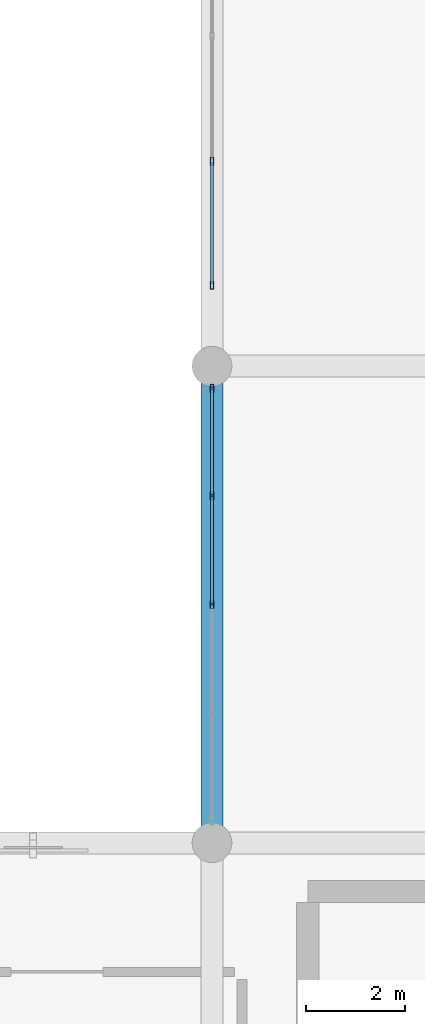
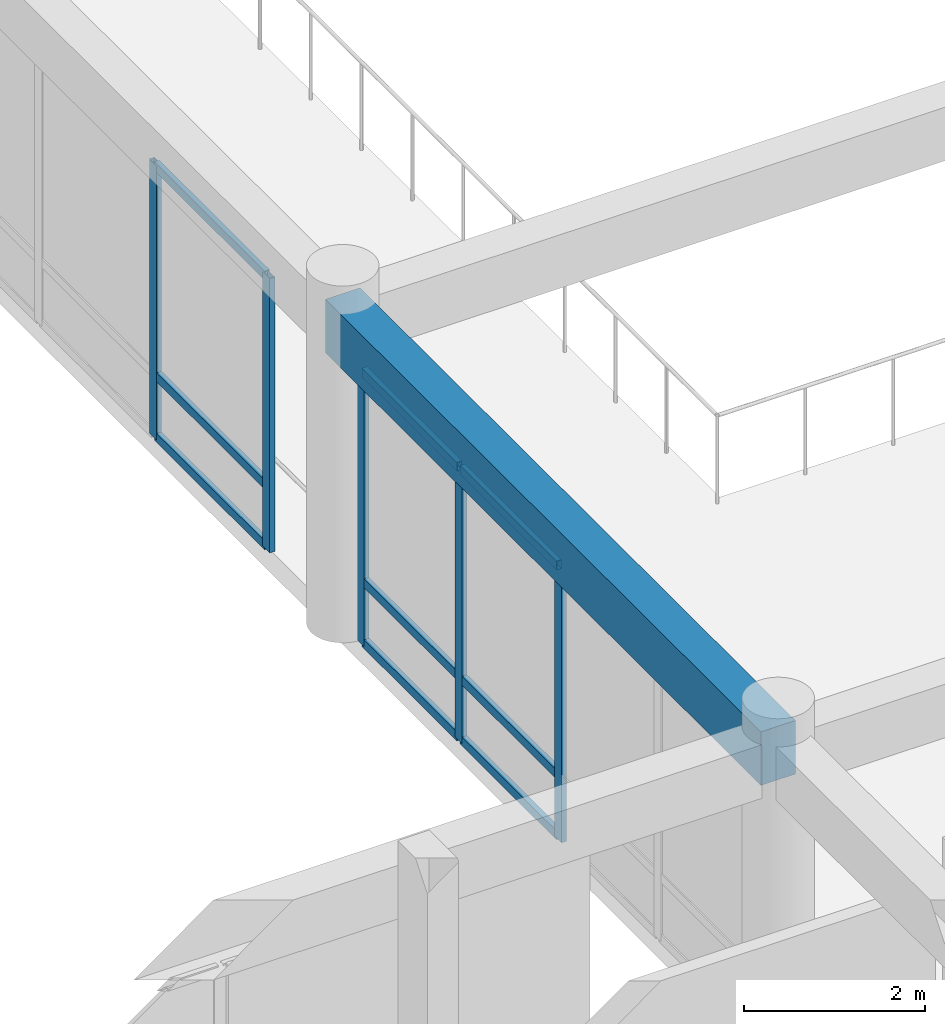
# One storey, part 31 of 133: 14 members, 1 beam, 2 elements without a shape of their own.
"""IFC4 building model written with IfcOpenShell, lengths in metres."""

from ifc_helpers import new_model, si_unit, direction, frame, origin, origin_2d, place, context, subcontext, project, spatial, rectangle, hollow_rectangle, extrude, material, layer, layer_set, material_profile, profile_set, type_object, element, aggregate, save


model = new_model("IFC4")

# Units and contexts
model_context = context("Model", 3, precision=1e-05, world=origin(), true_north=direction((0.0, 1.0)))
body_context = subcontext(model_context, "Body", "Model", "MODEL_VIEW")
ifc_project = project(units=[si_unit("LENGTHUNIT", "METRE"), si_unit("AREAUNIT", "SQUARE_METRE"), si_unit("VOLUMEUNIT", "CUBIC_METRE"), si_unit("PLANEANGLEUNIT", "RADIAN"), si_unit("MASSUNIT", "GRAM", prefix="KILO")], contexts=[model_context])

# Site, building, storey
site_placement = place(None, origin())
site = spatial("IfcSite", under=ifc_project, at=site_placement, CompositionType="ELEMENT")
building_placement = place(site_placement, origin())
building = spatial("IfcBuilding", under=site, at=building_placement, Name="Nakhvara Creek Congress Hotel", CompositionType="ELEMENT")
storey_placement = place(building_placement, frame((0.0, 0.0, 11.39990234375)))
storey = spatial("IfcBuildingStorey", under=building, at=storey_placement, Name="L02", CompositionType="ELEMENT", Elevation=11.39990234375)

# Beam
ifc_material_1 = material(Name="Concrete C40/50", Category="concrete")
ifc_material_profile_1 = material_profile(ifc_material_1, rectangle(XDim=0.43994140625, YDim=0.719970703125, at=origin_2d()), Name="RC-BM 440x720", Category="LoadBearing")
ifc_profile_set_1 = profile_set([ifc_material_profile_1], Name="Concrete C40/50")
beam_type = type_object("IfcBeamType", Name="BM-RC-440X720", PredefinedType="BEAM", material=ifc_profile_set_1)
beam_placement = place(storey_placement, frame((124.800048828125, 43.199951171875, 4.06005859375), z_axis=(0.0, 1.0, 0.0), x_axis=(-1.0, 0.0, 0.0)))
element("IfcBeam", 1, at=beam_placement, inside=storey, type_object=beam_type, Name="Beam B12-L02-1528", PredefinedType="BEAM", context=body_context, shape_type="SweptSolid", body=[
    extrude(rectangle(XDim=0.43994140625, YDim=0.719970703125, at=origin_2d()), origin(), (0.0, 0.0, 1.0), 9.60009765625),
])

# Curtain wall, members
ifc_material_2 = material(Name="Bronze-anodised aluminium AW-6063-T6 and double-silver low-E glass", Category="aluminium")
ifc_layer = layer(ifc_material_2, 0.199951171875)
ifc_layer_set = layer_set([ifc_layer], Name="Bronze-anodised aluminium AW-6063-T6 and double-silver low-E glass")
curtain_wall_type = type_object("IfcCurtainWallType", Name="CW-POD-STICK", PredefinedType="NOTDEFINED", material=ifc_layer_set)
curtain_wall_1_placement = place(storey_placement, origin())
curtain_wall_1 = element("IfcCurtainWall", 2, at=curtain_wall_1_placement, inside=storey, type_object=curtain_wall_type, Name="Curtain Wall CW044", PredefinedType="NOTDEFINED")
ifc_material_3 = material(Name="Bronze-anodised aluminium AW-6063-T6", Category="aluminium")
ifc_material_profile_2 = material_profile(ifc_material_3, hollow_rectangle(XDim=0.06494140625, YDim=0.159912109375, WallThickness=0.00390625, at=origin_2d()), Name="ALU-MULL 65x160x4", Category="LoadBearing")
ifc_profile_set_2 = profile_set([ifc_material_profile_2], Name="Bronze-anodised aluminium AW-6063-T6")
member_type_1 = type_object("IfcMemberType", Name="CW-MULL-160", PredefinedType="MULLION", material=ifc_profile_set_2)
member_1_placement = place(storey_placement, frame((124.800048828125, 48.0, 0.0), z_axis=(0.0, 0.0, 1.0), x_axis=(-1.0, 0.0, 0.0)))
member_1 = element("IfcMember", 3, at=member_1_placement, type_object=member_type_1, Name="CW044 mullion 3", PredefinedType="MULLION", context=body_context, shape_type="SweptSolid", body=[
    extrude(hollow_rectangle(XDim=0.06494140625, YDim=0.159912109375, WallThickness=0.00390625, at=origin_2d()), origin(), (0.0, 0.0, 1.0), 3.692138671875),
])
member_2_placement = place(storey_placement, frame((124.800048828125, 50.1923828125, 0.0), z_axis=(0.0, 0.0, 1.0), x_axis=(-1.0, 0.0, 0.0)))
member_2 = element("IfcMember", 4, at=member_2_placement, type_object=member_type_1, Name="CW044 mullion 4", PredefinedType="MULLION", context=body_context, shape_type="SweptSolid", body=[
    extrude(hollow_rectangle(XDim=0.06494140625, YDim=0.159912109375, WallThickness=0.00390625, at=origin_2d()), origin(), (0.0, 0.0, 1.0), 3.692138671875),
])
member_3_placement = place(storey_placement, frame((124.800048828125, 52.3525390625, 0.0), z_axis=(0.0, 0.0, 1.0), x_axis=(-1.0, 0.0, 0.0)))
member_3 = element("IfcMember", 5, at=member_3_placement, type_object=member_type_1, Name="CW044 mullion 5", PredefinedType="MULLION", context=body_context, shape_type="SweptSolid", body=[
    extrude(hollow_rectangle(XDim=0.06494140625, YDim=0.159912109375, WallThickness=0.00390625, at=origin_2d()), origin(), (0.0, 0.0, 1.0), 3.692138671875),
])

curtain_wall_2_placement = place(storey_placement, origin())
curtain_wall_2 = element("IfcCurtainWall", 6, at=curtain_wall_2_placement, inside=storey, type_object=curtain_wall_type, Name="Curtain Wall CW046", PredefinedType="NOTDEFINED")
member_4_placement = place(storey_placement, frame((124.800048828125, 54.4326171875, 0.0), z_axis=(0.0, 0.0, 1.0), x_axis=(-1.0, 0.0, 0.0)))
member_4 = element("IfcMember", 7, at=member_4_placement, type_object=member_type_1, Name="CW046 mullion 1", PredefinedType="MULLION", context=body_context, shape_type="SweptSolid", body=[
    extrude(hollow_rectangle(XDim=0.06494140625, YDim=0.159912109375, WallThickness=0.00390625, at=origin_2d()), origin(), (0.0, 0.0, 1.0), 3.692138671875),
])
member_5_placement = place(storey_placement, frame((124.800048828125, 56.92822265625, 0.0), z_axis=(0.0, 0.0, 1.0), x_axis=(-1.0, 0.0, 0.0)))
member_5 = element("IfcMember", 8, at=member_5_placement, type_object=member_type_1, Name="CW046 mullion 2", PredefinedType="MULLION", context=body_context, shape_type="SweptSolid", body=[
    extrude(hollow_rectangle(XDim=0.06494140625, YDim=0.159912109375, WallThickness=0.00390625, at=origin_2d()), origin(), (0.0, 0.0, 1.0), 3.692138671875),
])

# Member
ifc_material_profile_3 = material_profile(ifc_material_3, hollow_rectangle(XDim=0.06494140625, YDim=0.1201171875, WallThickness=0.00390625, at=origin_2d()), Name="ALU-TRAN 65x120x4", Category="LoadBearing")
ifc_profile_set_3 = profile_set([ifc_material_profile_3], Name="Bronze-anodised aluminium AW-6063-T6")
member_type_2 = type_object("IfcMemberType", Name="CW-TRAN-120", PredefinedType="USERDEFINED", material=ifc_profile_set_3)
member_6_placement = place(storey_placement, frame((124.800048828125, 48.032470703125, 0.03271484375), z_axis=(0.0, 1.0, 0.0), x_axis=(-1.0, 0.0, 0.0)))
member_6 = element("IfcMember", 9, at=member_6_placement, type_object=member_type_2, Name="CW044 transom 3.1", ObjectType="TRANSOM", PredefinedType="USERDEFINED", context=body_context, shape_type="SweptSolid", body=[
    extrude(hollow_rectangle(XDim=0.06494140625, YDim=0.1201171875, WallThickness=0.00390625, at=origin_2d()), origin(), (0.0, 0.0, 1.0), 2.12744140625),
])

member_7_placement = place(storey_placement, frame((124.800048828125, 48.032470703125, 0.85009765625), z_axis=(0.0, 1.0, 0.0), x_axis=(-1.0, 0.0, 0.0)))
member_7 = element("IfcMember", 10, at=member_7_placement, type_object=member_type_2, Name="CW044 transom 3.2", ObjectType="TRANSOM", PredefinedType="USERDEFINED", context=body_context, shape_type="SweptSolid", body=[
    extrude(hollow_rectangle(XDim=0.06494140625, YDim=0.1201171875, WallThickness=0.00390625, at=origin_2d()), origin(), (0.0, 0.0, 1.0), 2.12744140625),
])

member_8_placement = place(storey_placement, frame((124.800048828125, 48.032470703125, 3.65966796875), z_axis=(0.0, 1.0, 0.0), x_axis=(-1.0, 0.0, 0.0)))
member_8 = element("IfcMember", 11, at=member_8_placement, type_object=member_type_2, Name="CW044 transom 3.3", ObjectType="TRANSOM", PredefinedType="USERDEFINED", context=body_context, shape_type="SweptSolid", body=[
    extrude(hollow_rectangle(XDim=0.06494140625, YDim=0.1201171875, WallThickness=0.00390625, at=origin_2d()), origin(), (0.0, 0.0, 1.0), 2.12744140625),
])

member_9_placement = place(storey_placement, frame((124.800048828125, 50.22509765625, 0.03271484375), z_axis=(0.0, 1.0, 0.0), x_axis=(-1.0, 0.0, 0.0)))
member_9 = element("IfcMember", 12, at=member_9_placement, type_object=member_type_2, Name="CW044 transom 4.1", ObjectType="TRANSOM", PredefinedType="USERDEFINED", context=body_context, shape_type="SweptSolid", body=[
    extrude(hollow_rectangle(XDim=0.06494140625, YDim=0.1201171875, WallThickness=0.00390625, at=origin_2d()), origin(), (0.0, 0.0, 1.0), 2.094970703125),
])

member_10_placement = place(storey_placement, frame((124.800048828125, 50.22509765625, 0.85009765625), z_axis=(0.0, 1.0, 0.0), x_axis=(-1.0, 0.0, 0.0)))
member_10 = element("IfcMember", 13, at=member_10_placement, type_object=member_type_2, Name="CW044 transom 4.2", ObjectType="TRANSOM", PredefinedType="USERDEFINED", context=body_context, shape_type="SweptSolid", body=[
    extrude(hollow_rectangle(XDim=0.06494140625, YDim=0.1201171875, WallThickness=0.00390625, at=origin_2d()), origin(), (0.0, 0.0, 1.0), 2.094970703125),
])

member_11_placement = place(storey_placement, frame((124.800048828125, 50.22509765625, 3.65966796875), z_axis=(0.0, 1.0, 0.0), x_axis=(-1.0, 0.0, 0.0)))
member_11 = element("IfcMember", 14, at=member_11_placement, type_object=member_type_2, Name="CW044 transom 4.3", ObjectType="TRANSOM", PredefinedType="USERDEFINED", context=body_context, shape_type="SweptSolid", body=[
    extrude(hollow_rectangle(XDim=0.06494140625, YDim=0.1201171875, WallThickness=0.00390625, at=origin_2d()), origin(), (0.0, 0.0, 1.0), 2.094970703125),
])

aggregate(curtain_wall_1, [member_1, member_2, member_3, member_6, member_7, member_8, member_9, member_10, member_11])

member_12_placement = place(storey_placement, frame((124.800048828125, 54.465087890625, 0.03271484375), z_axis=(0.0, 1.0, 0.0), x_axis=(-1.0, 0.0, 0.0)))
member_12 = element("IfcMember", 15, at=member_12_placement, type_object=member_type_2, Name="CW046 transom 1.1", ObjectType="TRANSOM", PredefinedType="USERDEFINED", context=body_context, shape_type="SweptSolid", body=[
    extrude(hollow_rectangle(XDim=0.06494140625, YDim=0.1201171875, WallThickness=0.00390625, at=origin_2d()), origin(), (0.0, 0.0, 1.0), 2.4306640625),
])

member_13_placement = place(storey_placement, frame((124.800048828125, 54.465087890625, 0.85009765625), z_axis=(0.0, 1.0, 0.0), x_axis=(-1.0, 0.0, 0.0)))
member_13 = element("IfcMember", 16, at=member_13_placement, type_object=member_type_2, Name="CW046 transom 1.2", ObjectType="TRANSOM", PredefinedType="USERDEFINED", context=body_context, shape_type="SweptSolid", body=[
    extrude(hollow_rectangle(XDim=0.06494140625, YDim=0.1201171875, WallThickness=0.00390625, at=origin_2d()), origin(), (0.0, 0.0, 1.0), 2.4306640625),
])

member_14_placement = place(storey_placement, frame((124.800048828125, 54.465087890625, 3.65966796875), z_axis=(0.0, 1.0, 0.0), x_axis=(-1.0, 0.0, 0.0)))
member_14 = element("IfcMember", 17, at=member_14_placement, type_object=member_type_2, Name="CW046 transom 1.3", ObjectType="TRANSOM", PredefinedType="USERDEFINED", context=body_context, shape_type="SweptSolid", body=[
    extrude(hollow_rectangle(XDim=0.06494140625, YDim=0.1201171875, WallThickness=0.00390625, at=origin_2d()), origin(), (0.0, 0.0, 1.0), 2.4306640625),
])

aggregate(curtain_wall_2, [member_4, member_5, member_12, member_13, member_14])

save(model, "model.ifc")
